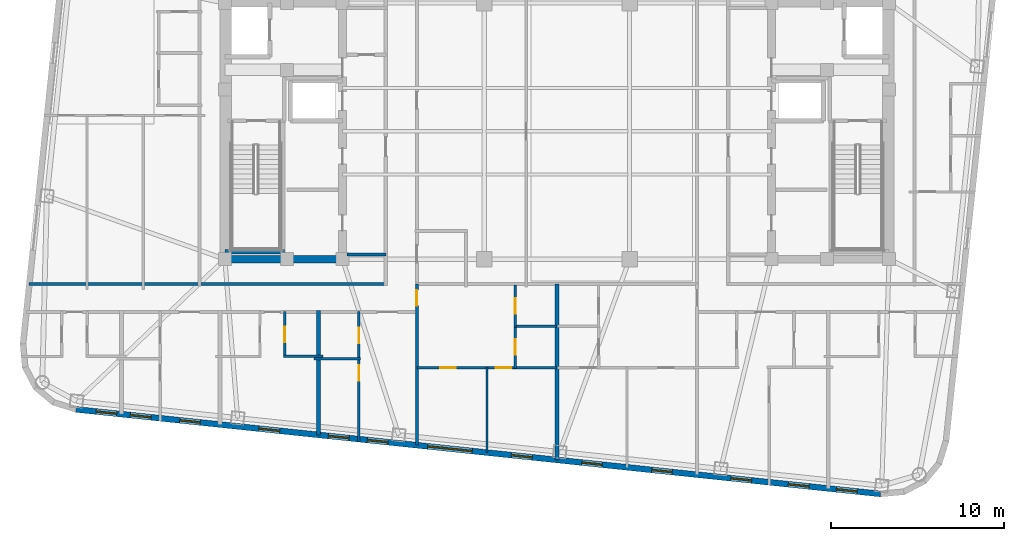
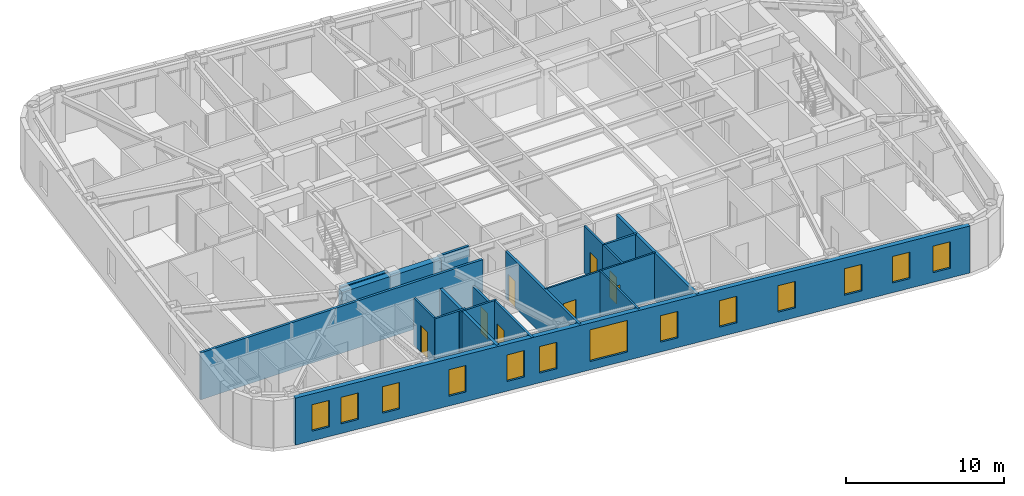
# One storey, part 3 of 11: 18 walls, 13 windows, 8 doors, 21 openings.
"""IFC4 building model written with IfcOpenShell, lengths in metres."""

from ifc_helpers import new_model, si_unit, direction, frame, frame_2d, origin, place, context, subcontext, project, spatial, rectangle, extrude, material, layer, layer_set, type_object, element, fill, save


model = new_model("IFC4")

# Units and contexts
model_context = context("Model", 3, precision=1e-05, world=origin(), true_north=direction((0.0, 1.0)))
body_context = subcontext(model_context, "Body", "Model", "MODEL_VIEW")
ifc_project = project(units=[si_unit("LENGTHUNIT", "METRE"), si_unit("AREAUNIT", "SQUARE_METRE"), si_unit("VOLUMEUNIT", "CUBIC_METRE"), si_unit("PLANEANGLEUNIT", "RADIAN"), si_unit("MASSUNIT", "GRAM", prefix="KILO")], contexts=[model_context])

# Site, building, storey
site_placement = place(None, origin())
site = spatial("IfcSite", under=ifc_project, at=site_placement, CompositionType="ELEMENT")
building_placement = place(site_placement, origin())
building = spatial("IfcBuilding", under=site, at=building_placement, Name="Voryun Gate Residences", CompositionType="ELEMENT")
storey_placement = place(building_placement, frame((0.0, 0.0, 302.89990234375)))
storey = spatial("IfcBuildingStorey", under=building, at=storey_placement, Name="L75", CompositionType="ELEMENT", Elevation=302.89990234375)

# Walls
ifc_material_1 = material(Name="Concrete C50/60", Category="concrete")
ifc_layer_1 = layer(ifc_material_1, 0.449951171875, Name="CW_CORE_450")
ifc_layer_set_1 = layer_set([ifc_layer_1], Name="Concrete C50/60")
wall_type_1 = type_object("IfcWallType", Name="CW_CORE_450", PredefinedType="SHEAR", material=ifc_layer_set_1)
wall_1_placement = place(storey_placement, frame((-19.425048828125, -7.39990234375, 0.0), z_axis=(0.0, 0.0, 1.0), x_axis=(1.0, 0.0, 0.0)))
element("IfcWall", 1, at=wall_1_placement, inside=storey, type_object=wall_type_1, Name="L75 Core shear wall CW-L75-WS", PredefinedType="SHEAR", context=body_context, shape_type="SweptSolid", body=[
    extrude(rectangle(XDim=7.25, YDim=0.449951171875, at=frame_2d((3.625, 0.0))), origin(), (0.0, 0.0, 1.0), 3.635009765625),
])
ifc_material_2 = material(Name="Gypsum acoustic fireboard")
ifc_layer_2 = layer(ifc_material_2, 0.179931640625, Name="W_CORR_RATED_180")
ifc_layer_set_2 = layer_set([ifc_layer_2], Name="Gypsum acoustic fireboard")
wall_type_2 = type_object("IfcWallType", Name="W_CORR_RATED_180", PredefinedType="PARTITIONING", material=ifc_layer_set_2)
wall_2_placement = place(storey_placement, frame((-12.14990234375, -7.1201171875, 0.0), z_axis=(0.0, 0.0, 1.0), x_axis=(1.0, 0.0, 0.0)))
element("IfcWall", 2, at=wall_2_placement, inside=storey, type_object=wall_type_2, Name="Partition wall WP-L75-PLBS-W", PredefinedType="PARTITIONING", context=body_context, shape_type="SweptSolid", body=[
    extrude(rectangle(XDim=2.27001953125, YDim=0.179931640625, at=frame_2d((1.135009765625, 0.0))), origin(), (0.0, 0.0, 1.0), 3.635009765625),
])
wall_3_placement = place(storey_placement, frame((-30.5068359375, -8.840087890625, 0.0), z_axis=(0.0, 0.0, 1.0), x_axis=(1.0, 0.0, 0.0)))
element("IfcWall", 3, at=wall_3_placement, inside=storey, type_object=wall_type_2, Name="Partition wall WP-L75-CWING-WS", PredefinedType="PARTITIONING", context=body_context, shape_type="SweptSolid", body=[
    extrude(rectangle(XDim=20.626953125, YDim=0.179931640625, at=frame_2d((10.3134765625, 0.0))), origin(), (0.0, 0.0, 1.0), 3.635009765625),
])

# Wall, opening, door
wall_4_placement = place(storey_placement, frame((-8.10009765625, -18.154541015625, 0.0), z_axis=(0.0, 0.0, 1.0), x_axis=(0.0, 1.0, 0.0)))
wall_4 = element("IfcWall", 4, at=wall_4_placement, inside=storey, type_object=wall_type_2, Name="Partition wall WP-L75-SZV-1", PredefinedType="PARTITIONING", context=body_context, shape_type="SweptSolid", body=[
    extrude(rectangle(XDim=9.314453125, YDim=0.179931640625, at=frame_2d((4.6572265625, 0.0))), origin(), (0.0, 0.0, 1.0), 3.635009765625),
])
opening_1_placement = place(wall_4_placement, frame((8.064453125, 0.0, 0.0)))
opening_1 = element("IfcOpeningElement", 5, at=opening_1_placement, cuts=wall_4, Name="Opening D-INT-2", PredefinedType="OPENING", context=body_context, shape_type="SweptSolid", body=[
    extrude(rectangle(XDim=0.89990234375, YDim=2.050048828125, at=frame_2d((0.449951171875, 1.02490234375))), frame((0.0, 0.099853515625, 0.0), z_axis=(0.0, -1.0, 0.0), x_axis=(1.0, 0.0, 0.0)), (0.0, 0.0, 1.0), 0.199951171875),
])
ifc_material_3 = material(Name="Architectural oak veneer")
door_type = type_object("IfcDoorType", Name="DR_INT_BATH_900", OperationType="NOTDEFINED", PredefinedType="DOOR", material=ifc_material_3)
door_1_placement = place(opening_1_placement, origin())
door_1 = element("IfcDoor", 6, at=door_1_placement, inside=storey, type_object=door_type, Name="Door DR-L75-SZENT-1", OperationType="SINGLE_SWING_LEFT", OverallHeight=2.050048828125, OverallWidth=0.89990234375, PredefinedType="DOOR", context=body_context, shape_type="SweptSolid", body=[
    extrude(rectangle(XDim=0.89990234375, YDim=2.050048828125, at=frame_2d((0.449951171875, 1.02490234375))), frame((0.0, 0.02490234375, 0.0), z_axis=(0.0, -1.0, 0.0), x_axis=(1.0, 0.0, 0.0)), (0.0, 0.0, 1.0), 0.050048828125),
])
fill(opening_1, door_1)

# Wall, openings, windows
ifc_material_4 = material(Name="Charcoal terracotta masonry", Category="masonry")
ifc_layer_3 = layer(ifc_material_4, 0.340087890625, Name="W_EXT_TERRACOTTA_340")
ifc_layer_set_3 = layer_set([ifc_layer_3], Name="Charcoal terracotta masonry")
wall_type_3 = type_object("IfcWallType", Name="W_EXT_TERRACOTTA_340", PredefinedType="ELEMENTEDWALL", material=ifc_layer_set_3)
wall_5_placement = place(storey_placement, frame((18.707763671875, -20.97216796875, 0.0), z_axis=(0.0, 0.0, 1.0), x_axis=(-0.994521888554, 0.104528528102, 0.0)))
wall_5 = element("IfcWall", 7, at=wall_5_placement, inside=storey, type_object=wall_type_3, Name="Exterior wall WEXT-L75-01", PredefinedType="ELEMENTEDWALL", context=body_context, shape_type="SweptSolid", body=[
    extrude(rectangle(XDim=46.766357421875, YDim=0.340087890625, at=frame_2d((23.38330078125, 0.0))), origin(), (0.0, 0.0, 1.0), 3.635009765625),
])
opening_2_placement = place(wall_5_placement, frame((23.733154296875, 0.0, 0.64990234375)))
opening_2 = element("IfcOpeningElement", 8, at=opening_2_placement, cuts=wall_5, Name="Opening WN4", PredefinedType="OPENING", context=body_context, shape_type="SweptSolid", body=[
    extrude(rectangle(XDim=2.60009765625, YDim=2.449951171875, at=frame_2d((1.300048828125, 1.22509765625))), frame((0.0, 0.179931640625, 0.0), z_axis=(0.0, -1.0, 0.0), x_axis=(1.0, 0.0, 0.0)), (0.0, 0.0, 1.0), 0.360107421875),
])
opening_3_placement = place(wall_5_placement, frame((44.40185546875, 0.0, 0.75)))
opening_3 = element("IfcOpeningElement", 9, at=opening_3_placement, cuts=wall_5, Name="Opening WN6", PredefinedType="OPENING", context=body_context, shape_type="SweptSolid", body=[
    extrude(rectangle(XDim=1.199951171875, YDim=2.050048828125, at=frame_2d((0.60009765625, 1.02490234375))), frame((0.0, 0.179931640625, 0.0), z_axis=(0.0, -1.0, 0.0), x_axis=(1.0, 0.0, 0.0)), (0.0, 0.0, 1.0), 0.360107421875),
])
opening_4_placement = place(wall_5_placement, frame((39.5400390625, 0.0, 0.75)))
opening_4 = element("IfcOpeningElement", 10, at=opening_4_placement, cuts=wall_5, Name="Opening WN6", PredefinedType="OPENING", context=body_context, shape_type="SweptSolid", body=[
    extrude(rectangle(XDim=1.199951171875, YDim=2.050048828125, at=frame_2d((0.60009765625, 1.02490234375))), frame((0.0, 0.179931640625, 0.0), z_axis=(0.0, -1.0, 0.0), x_axis=(1.0, 0.0, 0.0)), (0.0, 0.0, 1.0), 0.360107421875),
])
opening_5_placement = place(wall_5_placement, frame((42.40576171875, 0.0, 0.75)))
opening_5 = element("IfcOpeningElement", 11, at=opening_5_placement, cuts=wall_5, Name="Opening WN6", PredefinedType="OPENING", context=body_context, shape_type="SweptSolid", body=[
    extrude(rectangle(XDim=1.199951171875, YDim=2.050048828125, at=frame_2d((0.60009765625, 1.02490234375))), frame((0.0, 0.179931640625, 0.0), z_axis=(0.0, -1.0, 0.0), x_axis=(1.0, 0.0, 0.0)), (0.0, 0.0, 1.0), 0.360107421875),
])
opening_6_placement = place(wall_5_placement, frame((34.93310546875, 0.0, 0.75)))
opening_6 = element("IfcOpeningElement", 12, at=opening_6_placement, cuts=wall_5, Name="Opening WN6", PredefinedType="OPENING", context=body_context, shape_type="SweptSolid", body=[
    extrude(rectangle(XDim=1.199951171875, YDim=2.050048828125, at=frame_2d((0.60009765625, 1.02490234375))), frame((0.0, 0.179931640625, 0.0), z_axis=(0.0, -1.0, 0.0), x_axis=(1.0, 0.0, 0.0)), (0.0, 0.0, 1.0), 0.360107421875),
])
opening_7_placement = place(wall_5_placement, frame((28.630859375, 0.0, 0.75)))
opening_7 = element("IfcOpeningElement", 13, at=opening_7_placement, cuts=wall_5, Name="Opening WN6", PredefinedType="OPENING", context=body_context, shape_type="SweptSolid", body=[
    extrude(rectangle(XDim=1.199951171875, YDim=2.050048828125, at=frame_2d((0.60009765625, 1.02490234375))), frame((0.0, 0.179931640625, 0.0), z_axis=(0.0, -1.0, 0.0), x_axis=(1.0, 0.0, 0.0)), (0.0, 0.0, 1.0), 0.360107421875),
])
opening_8_placement = place(wall_5_placement, frame((30.89599609375, 0.0, 0.75)))
opening_8 = element("IfcOpeningElement", 14, at=opening_8_placement, cuts=wall_5, Name="Opening WN6", PredefinedType="OPENING", context=body_context, shape_type="SweptSolid", body=[
    extrude(rectangle(XDim=1.199951171875, YDim=2.050048828125, at=frame_2d((0.60009765625, 1.02490234375))), frame((0.0, 0.179931640625, 0.0), z_axis=(0.0, -1.0, 0.0), x_axis=(1.0, 0.0, 0.0)), (0.0, 0.0, 1.0), 0.360107421875),
])
opening_9_placement = place(wall_5_placement, frame((7.501220703125, 0.0, 0.75)))
opening_9 = element("IfcOpeningElement", 15, at=opening_9_placement, cuts=wall_5, Name="Opening WN6", PredefinedType="OPENING", context=body_context, shape_type="SweptSolid", body=[
    extrude(rectangle(XDim=1.199951171875, YDim=2.050048828125, at=frame_2d((0.60009765625, 1.02490234375))), frame((0.0, 0.179931640625, 0.0), z_axis=(0.0, -1.0, 0.0), x_axis=(1.0, 0.0, 0.0)), (0.0, 0.0, 1.0), 0.360107421875),
])
opening_10_placement = place(wall_5_placement, frame((4.1591796875, 0.0, 0.75)))
opening_10 = element("IfcOpeningElement", 16, at=opening_10_placement, cuts=wall_5, Name="Opening WN6", PredefinedType="OPENING", context=body_context, shape_type="SweptSolid", body=[
    extrude(rectangle(XDim=1.199951171875, YDim=2.050048828125, at=frame_2d((0.60009765625, 1.02490234375))), frame((0.0, 0.179931640625, 0.0), z_axis=(0.0, -1.0, 0.0), x_axis=(1.0, 0.0, 0.0)), (0.0, 0.0, 1.0), 0.360107421875),
])
opening_11_placement = place(wall_5_placement, frame((1.36865234375, 0.0, 0.75)))
opening_11 = element("IfcOpeningElement", 17, at=opening_11_placement, cuts=wall_5, Name="Opening WN6", PredefinedType="OPENING", context=body_context, shape_type="SweptSolid", body=[
    extrude(rectangle(XDim=1.199951171875, YDim=2.050048828125, at=frame_2d((0.60009765625, 1.02490234375))), frame((0.0, 0.179931640625, 0.0), z_axis=(0.0, -1.0, 0.0), x_axis=(1.0, 0.0, 0.0)), (0.0, 0.0, 1.0), 0.360107421875),
])
opening_12_placement = place(wall_5_placement, frame((20.25439453125, 0.0, 0.75)))
opening_12 = element("IfcOpeningElement", 18, at=opening_12_placement, cuts=wall_5, Name="Opening WN6", PredefinedType="OPENING", context=body_context, shape_type="SweptSolid", body=[
    extrude(rectangle(XDim=1.199951171875, YDim=2.050048828125, at=frame_2d((0.60009765625, 1.02490234375))), frame((0.0, 0.179931640625, 0.0), z_axis=(0.0, -1.0, 0.0), x_axis=(1.0, 0.0, 0.0)), (0.0, 0.0, 1.0), 0.360107421875),
])
opening_13_placement = place(wall_5_placement, frame((16.172119140625, 0.0, 0.75)))
opening_13 = element("IfcOpeningElement", 19, at=opening_13_placement, cuts=wall_5, Name="Opening WN6", PredefinedType="OPENING", context=body_context, shape_type="SweptSolid", body=[
    extrude(rectangle(XDim=1.199951171875, YDim=2.050048828125, at=frame_2d((0.60009765625, 1.02490234375))), frame((0.0, 0.179931640625, 0.0), z_axis=(0.0, -1.0, 0.0), x_axis=(1.0, 0.0, 0.0)), (0.0, 0.0, 1.0), 0.360107421875),
])
opening_14_placement = place(wall_5_placement, frame((12.109619140625, 0.0, 0.75)))
opening_14 = element("IfcOpeningElement", 20, at=opening_14_placement, cuts=wall_5, Name="Opening WN6", PredefinedType="OPENING", context=body_context, shape_type="SweptSolid", body=[
    extrude(rectangle(XDim=1.199951171875, YDim=2.050048828125, at=frame_2d((0.60009765625, 1.02490234375))), frame((0.0, 0.179931640625, 0.0), z_axis=(0.0, -1.0, 0.0), x_axis=(1.0, 0.0, 0.0)), (0.0, 0.0, 1.0), 0.360107421875),
])
ifc_material_5 = material(Name="Laminated low-E glass", Category="glass")
window_type_1 = type_object("IfcWindowType", Name="WN_PENT_TALL_2600", PartitioningType="SINGLE_PANEL", PredefinedType="WINDOW", material=ifc_material_5)
window_1_placement = place(opening_2_placement, origin())
window_1 = element("IfcWindow", 21, at=window_1_placement, inside=storey, type_object=window_type_1, Name="Window WN-WEXT-L75-01-02", OverallHeight=2.449951171875, OverallWidth=2.60009765625, PartitioningType="SINGLE_PANEL", PredefinedType="WINDOW", context=body_context, shape_type="SweptSolid", body=[
    extrude(rectangle(XDim=2.60009765625, YDim=2.449951171875, at=frame_2d((1.300048828125, 1.22509765625))), frame((0.0, 0.030029296875, 0.0), z_axis=(0.0, -1.0, 0.0), x_axis=(1.0, 0.0, 0.0)), (0.0, 0.0, 1.0), 0.06005859375),
])
fill(opening_2, window_1)
ifc_material_6 = material(Name="Laminated low-E glass", Category="glass")
window_type_2 = type_object("IfcWindowType", Name="WN_POD_SLOT_1200", PartitioningType="SINGLE_PANEL", PredefinedType="WINDOW", material=ifc_material_6)
window_2_placement = place(opening_3_placement, origin())
window_2 = element("IfcWindow", 22, at=window_2_placement, inside=storey, type_object=window_type_2, Name="Window WN-L75-DWFIX-11", OverallHeight=2.050048828125, OverallWidth=1.199951171875, PartitioningType="SINGLE_PANEL", PredefinedType="WINDOW", context=body_context, shape_type="SweptSolid", body=[
    extrude(rectangle(XDim=1.199951171875, YDim=2.050048828125, at=frame_2d((0.60009765625, 1.02490234375))), frame((0.0, 0.030029296875, 0.0), z_axis=(0.0, -1.0, 0.0), x_axis=(1.0, 0.0, 0.0)), (0.0, 0.0, 1.0), 0.06005859375),
])
fill(opening_3, window_2)
window_3_placement = place(opening_4_placement, origin())
window_3 = element("IfcWindow", 23, at=window_3_placement, inside=storey, type_object=window_type_2, Name="Window WN-L75-DWFIX-12", OverallHeight=2.050048828125, OverallWidth=1.199951171875, PartitioningType="SINGLE_PANEL", PredefinedType="WINDOW", context=body_context, shape_type="SweptSolid", body=[
    extrude(rectangle(XDim=1.199951171875, YDim=2.050048828125, at=frame_2d((0.60009765625, 1.02490234375))), frame((0.0, 0.030029296875, 0.0), z_axis=(0.0, -1.0, 0.0), x_axis=(1.0, 0.0, 0.0)), (0.0, 0.0, 1.0), 0.06005859375),
])
fill(opening_4, window_3)
window_4_placement = place(opening_5_placement, origin())
window_4 = element("IfcWindow", 24, at=window_4_placement, inside=storey, type_object=window_type_2, Name="Window WN-L75-DWFIX-13", OverallHeight=2.050048828125, OverallWidth=1.199951171875, PartitioningType="SINGLE_PANEL", PredefinedType="WINDOW", context=body_context, shape_type="SweptSolid", body=[
    extrude(rectangle(XDim=1.199951171875, YDim=2.050048828125, at=frame_2d((0.60009765625, 1.02490234375))), frame((0.0, 0.030029296875, 0.0), z_axis=(0.0, -1.0, 0.0), x_axis=(1.0, 0.0, 0.0)), (0.0, 0.0, 1.0), 0.06005859375),
])
fill(opening_5, window_4)
window_5_placement = place(opening_6_placement, origin())
window_5 = element("IfcWindow", 25, at=window_5_placement, inside=storey, type_object=window_type_2, Name="Window WN-L75-DWFIX-14", OverallHeight=2.050048828125, OverallWidth=1.199951171875, PartitioningType="SINGLE_PANEL", PredefinedType="WINDOW", context=body_context, shape_type="SweptSolid", body=[
    extrude(rectangle(XDim=1.199951171875, YDim=2.050048828125, at=frame_2d((0.60009765625, 1.02490234375))), frame((0.0, 0.030029296875, 0.0), z_axis=(0.0, -1.0, 0.0), x_axis=(1.0, 0.0, 0.0)), (0.0, 0.0, 1.0), 0.06005859375),
])
fill(opening_6, window_5)
window_6_placement = place(opening_7_placement, origin())
window_6 = element("IfcWindow", 26, at=window_6_placement, inside=storey, type_object=window_type_2, Name="Window WN-L75-DWFIX-15", OverallHeight=2.050048828125, OverallWidth=1.199951171875, PartitioningType="SINGLE_PANEL", PredefinedType="WINDOW", context=body_context, shape_type="SweptSolid", body=[
    extrude(rectangle(XDim=1.199951171875, YDim=2.050048828125, at=frame_2d((0.60009765625, 1.02490234375))), frame((0.0, 0.030029296875, 0.0), z_axis=(0.0, -1.0, 0.0), x_axis=(1.0, 0.0, 0.0)), (0.0, 0.0, 1.0), 0.06005859375),
])
fill(opening_7, window_6)
window_7_placement = place(opening_8_placement, origin())
window_7 = element("IfcWindow", 27, at=window_7_placement, inside=storey, type_object=window_type_2, Name="Window WN-L75-DWFIX-16", OverallHeight=2.050048828125, OverallWidth=1.199951171875, PartitioningType="SINGLE_PANEL", PredefinedType="WINDOW", context=body_context, shape_type="SweptSolid", body=[
    extrude(rectangle(XDim=1.199951171875, YDim=2.050048828125, at=frame_2d((0.60009765625, 1.02490234375))), frame((0.0, 0.030029296875, 0.0), z_axis=(0.0, -1.0, 0.0), x_axis=(1.0, 0.0, 0.0)), (0.0, 0.0, 1.0), 0.06005859375),
])
fill(opening_8, window_7)
window_8_placement = place(opening_9_placement, origin())
window_8 = element("IfcWindow", 28, at=window_8_placement, inside=storey, type_object=window_type_2, Name="Window WN-L75-DWFIX-17", OverallHeight=2.050048828125, OverallWidth=1.199951171875, PartitioningType="SINGLE_PANEL", PredefinedType="WINDOW", context=body_context, shape_type="SweptSolid", body=[
    extrude(rectangle(XDim=1.199951171875, YDim=2.050048828125, at=frame_2d((0.60009765625, 1.02490234375))), frame((0.0, 0.030029296875, 0.0), z_axis=(0.0, -1.0, 0.0), x_axis=(1.0, 0.0, 0.0)), (0.0, 0.0, 1.0), 0.06005859375),
])
fill(opening_9, window_8)
window_9_placement = place(opening_10_placement, origin())
window_9 = element("IfcWindow", 29, at=window_9_placement, inside=storey, type_object=window_type_2, Name="Window WN-L75-DWFIX-18", OverallHeight=2.050048828125, OverallWidth=1.199951171875, PartitioningType="SINGLE_PANEL", PredefinedType="WINDOW", context=body_context, shape_type="SweptSolid", body=[
    extrude(rectangle(XDim=1.199951171875, YDim=2.050048828125, at=frame_2d((0.60009765625, 1.02490234375))), frame((0.0, 0.030029296875, 0.0), z_axis=(0.0, -1.0, 0.0), x_axis=(1.0, 0.0, 0.0)), (0.0, 0.0, 1.0), 0.06005859375),
])
fill(opening_10, window_9)
window_10_placement = place(opening_11_placement, origin())
window_10 = element("IfcWindow", 30, at=window_10_placement, inside=storey, type_object=window_type_2, Name="Window WN-L75-DWFIX-19", OverallHeight=2.050048828125, OverallWidth=1.199951171875, PartitioningType="SINGLE_PANEL", PredefinedType="WINDOW", context=body_context, shape_type="SweptSolid", body=[
    extrude(rectangle(XDim=1.199951171875, YDim=2.050048828125, at=frame_2d((0.60009765625, 1.02490234375))), frame((0.0, 0.030029296875, 0.0), z_axis=(0.0, -1.0, 0.0), x_axis=(1.0, 0.0, 0.0)), (0.0, 0.0, 1.0), 0.06005859375),
])
fill(opening_11, window_10)
window_11_placement = place(opening_12_placement, origin())
window_11 = element("IfcWindow", 31, at=window_11_placement, inside=storey, type_object=window_type_2, Name="Window WN-L75-DWFIX-20", OverallHeight=2.050048828125, OverallWidth=1.199951171875, PartitioningType="SINGLE_PANEL", PredefinedType="WINDOW", context=body_context, shape_type="SweptSolid", body=[
    extrude(rectangle(XDim=1.199951171875, YDim=2.050048828125, at=frame_2d((0.60009765625, 1.02490234375))), frame((0.0, 0.030029296875, 0.0), z_axis=(0.0, -1.0, 0.0), x_axis=(1.0, 0.0, 0.0)), (0.0, 0.0, 1.0), 0.06005859375),
])
fill(opening_12, window_11)
window_12_placement = place(opening_13_placement, origin())
window_12 = element("IfcWindow", 32, at=window_12_placement, inside=storey, type_object=window_type_2, Name="Window WN-L75-DWFIX-21", OverallHeight=2.050048828125, OverallWidth=1.199951171875, PartitioningType="SINGLE_PANEL", PredefinedType="WINDOW", context=body_context, shape_type="SweptSolid", body=[
    extrude(rectangle(XDim=1.199951171875, YDim=2.050048828125, at=frame_2d((0.60009765625, 1.02490234375))), frame((0.0, 0.030029296875, 0.0), z_axis=(0.0, -1.0, 0.0), x_axis=(1.0, 0.0, 0.0)), (0.0, 0.0, 1.0), 0.06005859375),
])
fill(opening_13, window_12)
window_13_placement = place(opening_14_placement, origin())
window_13 = element("IfcWindow", 33, at=window_13_placement, inside=storey, type_object=window_type_2, Name="Window WN-L75-DWFIX-22", OverallHeight=2.050048828125, OverallWidth=1.199951171875, PartitioningType="SINGLE_PANEL", PredefinedType="WINDOW", context=body_context, shape_type="SweptSolid", body=[
    extrude(rectangle(XDim=1.199951171875, YDim=2.050048828125, at=frame_2d((0.60009765625, 1.02490234375))), frame((0.0, 0.030029296875, 0.0), z_axis=(0.0, -1.0, 0.0), x_axis=(1.0, 0.0, 0.0)), (0.0, 0.0, 1.0), 0.06005859375),
])
fill(opening_14, window_13)

# Walls
ifc_material_7 = material(Name="Concrete C40/50", Category="concrete")
ifc_layer_4 = layer(ifc_material_7, 0.219970703125, Name="W_PARTY_ACOUSTIC_220")
ifc_layer_set_4 = layer_set([ifc_layer_4], Name="Concrete C40/50")
wall_type_4 = type_object("IfcWallType", Name="W_PARTY_ACOUSTIC_220", PredefinedType="PARTITIONING", material=ifc_layer_set_4)
wall_6_placement = place(storey_placement, frame((-13.779052734375, -17.5576171875, 0.0), z_axis=(0.0, 0.0, 1.0), x_axis=(0.0, 1.0, 0.0)))
element("IfcWall", 34, at=wall_6_placement, inside=storey, type_object=wall_type_4, Name="Partition wall WP-L75-SPTY-3", PredefinedType="PARTITIONING", context=body_context, shape_type="SweptSolid", body=[
    extrude(rectangle(XDim=7.1875, YDim=0.219970703125, at=frame_2d((3.59375, 0.0))), origin(), (0.0, 0.0, 1.0), 3.635009765625),
])
wall_7_placement = place(storey_placement, frame((0.0, -19.005859375, 0.0), z_axis=(0.0, 0.0, 1.0), x_axis=(0.0, 1.0, 0.0)))
element("IfcWall", 35, at=wall_7_placement, inside=storey, type_object=wall_type_4, Name="Partition wall WP-L75-SZMID", PredefinedType="PARTITIONING", context=body_context, shape_type="SweptSolid", body=[
    extrude(rectangle(XDim=10.165771484375, YDim=0.219970703125, at=frame_2d((5.0830078125, 0.0))), origin(), (0.0, 0.0, 1.0), 3.635009765625),
])
ifc_material_8 = material(Name="Concrete C50/60", Category="concrete")
ifc_layer_5 = layer(ifc_material_8, 0.25, Name="W_SHAFT_RC250")
ifc_layer_set_5 = layer_set([ifc_layer_5], Name="Concrete C50/60")
wall_type_5 = type_object("IfcWallType", Name="W_SHAFT_RC250", PredefinedType="SOLIDWALL", material=ifc_layer_set_5)
wall_8_placement = place(storey_placement, frame((-19.199951171875, -6.965087890625, 0.0), z_axis=(0.0, 0.0, 1.0), x_axis=(1.0, 0.0, 0.0)))
element("IfcWall", 36, at=wall_8_placement, inside=storey, type_object=wall_type_5, Name="L75 Stair shaft structural wall W-STS", PredefinedType="SOLIDWALL", context=body_context, shape_type="SweptSolid", body=[
    extrude(rectangle(XDim=3.4599609375, YDim=0.25, at=frame_2d((1.72998046875, 0.0))), origin(), (0.0, 0.0, 1.0), 3.635009765625),
])

# Wall, openings, doors
ifc_material_9 = material(Name="Gypsum acoustic partition")
ifc_layer_6 = layer(ifc_material_9, 0.125, Name="W_UNIT_PART_125")
ifc_layer_set_6 = layer_set([ifc_layer_6], Name="Gypsum acoustic partition")
wall_type_6 = type_object("IfcWallType", Name="W_UNIT_PART_125", PredefinedType="PARTITIONING", material=ifc_layer_set_6)
wall_9_placement = place(storey_placement, frame((-8.080078125, -13.679931640625, 0.0), z_axis=(0.0, 0.0, 1.0), x_axis=(1.0, 0.0, 0.0)))
wall_9 = element("IfcWall", 37, at=wall_9_placement, inside=storey, type_object=wall_type_6, Name="Partition wall WP-L75-SC1-HZ", PredefinedType="PARTITIONING", context=body_context, shape_type="SweptSolid", body=[
    extrude(rectangle(XDim=8.06005859375, YDim=0.125, at=frame_2d((4.030029296875, 0.0))), origin(), (0.0, 0.0, 1.0), 3.635009765625),
])
opening_15_placement = place(wall_9_placement, frame((1.3232421875, 0.0, 0.0)))
opening_15 = element("IfcOpeningElement", 38, at=opening_15_placement, cuts=wall_9, Name="Opening D-INT-2", PredefinedType="OPENING", context=body_context, shape_type="SweptSolid", body=[
    extrude(rectangle(XDim=0.89990234375, YDim=2.050048828125, at=frame_2d((0.449951171875, 1.02490234375))), frame((0.0, 0.072509765625, 0.0), z_axis=(0.0, -1.0, 0.0), x_axis=(1.0, 0.0, 0.0)), (0.0, 0.0, 1.0), 0.14501953125),
])
opening_16_placement = place(wall_9_placement, frame((4.547119140625, 0.0, 0.0)))
opening_16 = element("IfcOpeningElement", 39, at=opening_16_placement, cuts=wall_9, Name="Opening D-INT-2", PredefinedType="OPENING", context=body_context, shape_type="SweptSolid", body=[
    extrude(rectangle(XDim=0.89990234375, YDim=2.050048828125, at=frame_2d((0.449951171875, 1.02490234375))), frame((0.0, 0.072509765625, 0.0), z_axis=(0.0, -1.0, 0.0), x_axis=(1.0, 0.0, 0.0)), (0.0, 0.0, 1.0), 0.14501953125),
])
door_2_placement = place(opening_15_placement, origin())
door_2 = element("IfcDoor", 40, at=door_2_placement, inside=storey, type_object=door_type, Name="Door DR-L75-SC1-DMB", OperationType="SINGLE_SWING_LEFT", OverallHeight=2.050048828125, OverallWidth=0.89990234375, PredefinedType="DOOR", context=body_context, shape_type="SweptSolid", body=[
    extrude(rectangle(XDim=0.89990234375, YDim=2.050048828125, at=frame_2d((0.449951171875, 1.02490234375))), frame((0.0, 0.02490234375, 0.0), z_axis=(0.0, -1.0, 0.0), x_axis=(1.0, 0.0, 0.0)), (0.0, 0.0, 1.0), 0.050048828125),
])
fill(opening_15, door_2)
door_3_placement = place(opening_16_placement, origin())
door_3 = element("IfcDoor", 41, at=door_3_placement, inside=storey, type_object=door_type, Name="Door DR-L75-SC1-DBD2", OperationType="SINGLE_SWING_RIGHT", OverallHeight=2.050048828125, OverallWidth=0.89990234375, PredefinedType="DOOR", context=body_context, shape_type="SweptSolid", body=[
    extrude(rectangle(XDim=0.89990234375, YDim=2.050048828125, at=frame_2d((0.449951171875, 1.02490234375))), frame((0.0, 0.02490234375, 0.0), z_axis=(0.0, -1.0, 0.0), x_axis=(1.0, 0.0, 0.0)), (0.0, 0.0, 1.0), 0.050048828125),
])
fill(opening_16, door_3)

# Wall, opening, door
wall_10_placement = place(storey_placement, frame((-2.409912109375, -11.31005859375, 0.0), z_axis=(0.0, 0.0, 1.0), x_axis=(0.0, 1.0, 0.0)))
wall_10 = element("IfcWall", 42, at=wall_10_placement, inside=storey, type_object=wall_type_6, Name="Partition wall WP-L75-SC1-VK1", PredefinedType="PARTITIONING", context=body_context, shape_type="SweptSolid", body=[
    extrude(rectangle(XDim=2.41015625, YDim=0.125, at=frame_2d((1.205078125, 0.0))), origin(), (0.0, 0.0, 1.0), 3.635009765625),
])
opening_17_placement = place(wall_10_placement, frame((0.7548828125, 0.0, 0.0)))
opening_17 = element("IfcOpeningElement", 43, at=opening_17_placement, cuts=wall_10, Name="Opening D-INT-2", PredefinedType="OPENING", context=body_context, shape_type="SweptSolid", body=[
    extrude(rectangle(XDim=0.89990234375, YDim=2.050048828125, at=frame_2d((0.449951171875, 1.02490234375))), frame((0.0, 0.072509765625, 0.0), z_axis=(0.0, -1.0, 0.0), x_axis=(1.0, 0.0, 0.0)), (0.0, 0.0, 1.0), 0.14501953125),
])
door_4_placement = place(opening_17_placement, origin())
door_4 = element("IfcDoor", 44, at=door_4_placement, inside=storey, type_object=door_type, Name="Door DR-L75-SC1-DK", OperationType="SINGLE_SWING_LEFT", OverallHeight=2.050048828125, OverallWidth=0.89990234375, PredefinedType="DOOR", context=body_context, shape_type="SweptSolid", body=[
    extrude(rectangle(XDim=0.89990234375, YDim=2.050048828125, at=frame_2d((0.449951171875, 1.02490234375))), frame((0.0, 0.02490234375, 0.0), z_axis=(0.0, -1.0, 0.0), x_axis=(1.0, 0.0, 0.0)), (0.0, 0.0, 1.0), 0.050048828125),
])
fill(opening_17, door_4)

# Wall
wall_11_placement = place(storey_placement, frame((-4.050048828125, -18.580078125, 0.0), z_axis=(0.0, 0.0, 1.0), x_axis=(0.0, 1.0, 0.0)))
element("IfcWall", 45, at=wall_11_placement, inside=storey, type_object=wall_type_6, Name="Partition wall WP-L75-SC1-VBD", PredefinedType="PARTITIONING", context=body_context, shape_type="SweptSolid", body=[
    extrude(rectangle(XDim=4.940185546875, YDim=0.125, at=frame_2d((2.47021484375, 0.0))), origin(), (0.0, 0.0, 1.0), 3.635009765625),
])

# Wall, opening, door
ifc_material_10 = material(Name="Gypsum moisture-resistant partition")
ifc_layer_7 = layer(ifc_material_10, 0.14990234375, Name="W_WET_PLUMB_150")
ifc_layer_set_7 = layer_set([ifc_layer_7], Name="Gypsum moisture-resistant partition")
wall_type_7 = type_object("IfcWallType", Name="W_WET_PLUMB_150", PredefinedType="PLUMBINGWALL", material=ifc_layer_set_7)
wall_12_placement = place(storey_placement, frame((-15.736083984375, -13.080078125, 0.0), z_axis=(0.0, 0.0, 1.0), x_axis=(0.0, 1.0, 0.0)))
wall_12 = element("IfcWall", 46, at=wall_12_placement, inside=storey, type_object=wall_type_7, Name="Partition wall WP-L75-S3-CVB", PredefinedType="PLUMBINGWALL", context=body_context, shape_type="SweptSolid", body=[
    extrude(rectangle(XDim=2.650146484375, YDim=0.14990234375, at=frame_2d((1.3251953125, 0.0))), origin(), (0.0, 0.0, 1.0), 3.635009765625),
])
opening_18_placement = place(wall_12_placement, frame((0.875, 0.0, 0.0)))
opening_18 = element("IfcOpeningElement", 47, at=opening_18_placement, cuts=wall_12, Name="Opening D-INT-2", PredefinedType="OPENING", context=body_context, shape_type="SweptSolid", body=[
    extrude(rectangle(XDim=0.89990234375, YDim=2.050048828125, at=frame_2d((0.449951171875, 1.02490234375))), frame((0.0, 0.0849609375, 0.0), z_axis=(0.0, -1.0, 0.0), x_axis=(1.0, 0.0, 0.0)), (0.0, 0.0, 1.0), 0.169921875),
])
door_5_placement = place(opening_18_placement, origin())
door_5 = element("IfcDoor", 48, at=door_5_placement, inside=storey, type_object=door_type, Name="Door DR-L75-S3-DB", OperationType="SINGLE_SWING_RIGHT", OverallHeight=2.050048828125, OverallWidth=0.89990234375, PredefinedType="DOOR", context=body_context, shape_type="SweptSolid", body=[
    extrude(rectangle(XDim=0.89990234375, YDim=2.050048828125, at=frame_2d((0.449951171875, 1.02490234375))), frame((0.0, 0.02490234375, 0.0), z_axis=(0.0, -1.0, 0.0), x_axis=(1.0, 0.0, 0.0)), (0.0, 0.0, 1.0), 0.050048828125),
])
fill(opening_18, door_5)

# Walls
wall_13_placement = place(storey_placement, frame((-15.7958984375, -13.02001953125, 0.0), z_axis=(0.0, 0.0, 1.0), x_axis=(1.0, 0.0, 0.0)))
element("IfcWall", 49, at=wall_13_placement, inside=storey, type_object=wall_type_7, Name="Partition wall WP-L75-S3-CHB", PredefinedType="PLUMBINGWALL", context=body_context, shape_type="SweptSolid", body=[
    extrude(rectangle(XDim=2.27685546875, YDim=0.14990234375, at=frame_2d((1.138427734375, 0.0))), origin(), (0.0, 0.0, 1.0), 3.635009765625),
])
wall_14_placement = place(storey_placement, frame((-14.0390625, -13.14990234375, 0.0), z_axis=(0.0, 0.0, 1.0), x_axis=(1.0, 0.0, 0.0)))
element("IfcWall", 50, at=wall_14_placement, inside=storey, type_object=wall_type_7, Name="Partition wall WP-L75-S4-SKB", PredefinedType="PLUMBINGWALL", context=body_context, shape_type="SweptSolid", body=[
    extrude(rectangle(XDim=2.671142578125, YDim=0.14990234375, at=frame_2d((1.33544921875, 0.0))), origin(), (0.0, 0.0, 1.0), 3.635009765625),
])

# Wall, opening, door
wall_15_placement = place(storey_placement, frame((-11.447998046875, -17.95361328125, 0.0), z_axis=(0.0, 0.0, 1.0), x_axis=(0.0, 1.0, 0.0)))
wall_15 = element("IfcWall", 51, at=wall_15_placement, inside=storey, type_object=wall_type_7, Name="Partition wall WP-L75-S4-SVT1", PredefinedType="PLUMBINGWALL", context=body_context, shape_type="SweptSolid", body=[
    extrude(rectangle(XDim=4.843505859375, YDim=0.14990234375, at=frame_2d((2.421875, 0.0))), origin(), (0.0, 0.0, 1.0), 3.635009765625),
])
opening_19_placement = place(wall_15_placement, frame((3.521728515625, 0.0, 0.0)))
opening_19 = element("IfcOpeningElement", 52, at=opening_19_placement, cuts=wall_15, Name="Opening D-INT-2", PredefinedType="OPENING", context=body_context, shape_type="SweptSolid", body=[
    extrude(rectangle(XDim=0.89990234375, YDim=2.050048828125, at=frame_2d((0.449951171875, 1.02490234375))), frame((0.0, 0.0849609375, 0.0), z_axis=(0.0, -1.0, 0.0), x_axis=(1.0, 0.0, 0.0)), (0.0, 0.0, 1.0), 0.169921875),
])
door_6_placement = place(opening_19_placement, origin())
door_6 = element("IfcDoor", 53, at=door_6_placement, inside=storey, type_object=door_type, Name="Door DR-L75-S4-DK", OperationType="SINGLE_SWING_LEFT", OverallHeight=2.050048828125, OverallWidth=0.89990234375, PredefinedType="DOOR", context=body_context, shape_type="SweptSolid", body=[
    extrude(rectangle(XDim=0.89990234375, YDim=2.050048828125, at=frame_2d((0.449951171875, 1.02490234375))), frame((0.0, 0.02490234375, 0.0), z_axis=(0.0, -1.0, 0.0), x_axis=(1.0, 0.0, 0.0)), (0.0, 0.0, 1.0), 0.050048828125),
])
fill(opening_19, door_6)

wall_16_placement = place(storey_placement, frame((-11.447998046875, -13.18994140625, 0.0), z_axis=(0.0, 0.0, 1.0), x_axis=(0.0, 1.0, 0.0)))
wall_16 = element("IfcWall", 54, at=wall_16_placement, inside=storey, type_object=wall_type_7, Name="Partition wall WP-L75-S4-SVT2", PredefinedType="PLUMBINGWALL", context=body_context, shape_type="SweptSolid", body=[
    extrude(rectangle(XDim=2.760009765625, YDim=0.14990234375, at=frame_2d((1.3798828125, 0.0))), origin(), (0.0, 0.0, 1.0), 3.0751953125),
])
opening_20_placement = place(wall_16_placement, frame((0.929931640625, 0.0, 0.0)))
opening_20 = element("IfcOpeningElement", 55, at=opening_20_placement, cuts=wall_16, Name="Opening D-INT-2", PredefinedType="OPENING", context=body_context, shape_type="SweptSolid", body=[
    extrude(rectangle(XDim=0.89990234375, YDim=2.050048828125, at=frame_2d((0.449951171875, 1.02490234375))), frame((0.0, 0.0849609375, 0.0), z_axis=(0.0, -1.0, 0.0), x_axis=(1.0, 0.0, 0.0)), (0.0, 0.0, 1.0), 0.169921875),
])
door_7_placement = place(opening_20_placement, origin())
door_7 = element("IfcDoor", 56, at=door_7_placement, inside=storey, type_object=door_type, Name="Door DR-L75-S4-DB", OperationType="SINGLE_SWING_RIGHT", OverallHeight=2.050048828125, OverallWidth=0.89990234375, PredefinedType="DOOR", context=body_context, shape_type="SweptSolid", body=[
    extrude(rectangle(XDim=0.89990234375, YDim=2.050048828125, at=frame_2d((0.449951171875, 1.02490234375))), frame((0.0, 0.02490234375, 0.0), z_axis=(0.0, -1.0, 0.0), x_axis=(1.0, 0.0, 0.0)), (0.0, 0.0, 1.0), 0.050048828125),
])
fill(opening_20, door_7)

wall_17_placement = place(storey_placement, frame((-2.409912109375, -13.719970703125, 0.0), z_axis=(0.0, 0.0, 1.0), x_axis=(0.0, 1.0, 0.0)))
wall_17 = element("IfcWall", 57, at=wall_17_placement, inside=storey, type_object=wall_type_7, Name="Partition wall WP-L75-SC1-VK2", PredefinedType="PLUMBINGWALL", context=body_context, shape_type="SweptSolid", body=[
    extrude(rectangle(XDim=2.469970703125, YDim=0.14990234375, at=frame_2d((1.23486328125, 0.0))), origin(), (0.0, 0.0, 1.0), 3.635009765625),
])
opening_21_placement = place(wall_17_placement, frame((0.784912109375, 0.0, 0.0)))
opening_21 = element("IfcOpeningElement", 58, at=opening_21_placement, cuts=wall_17, Name="Opening D-INT-2", PredefinedType="OPENING", context=body_context, shape_type="SweptSolid", body=[
    extrude(rectangle(XDim=0.89990234375, YDim=2.050048828125, at=frame_2d((0.449951171875, 1.02490234375))), frame((0.0, 0.0849609375, 0.0), z_axis=(0.0, -1.0, 0.0), x_axis=(1.0, 0.0, 0.0)), (0.0, 0.0, 1.0), 0.169921875),
])
door_8_placement = place(opening_21_placement, origin())
door_8 = element("IfcDoor", 59, at=door_8_placement, inside=storey, type_object=door_type, Name="Door DR-L75-SC1-DB", OperationType="SINGLE_SWING_RIGHT", OverallHeight=2.050048828125, OverallWidth=0.89990234375, PredefinedType="DOOR", context=body_context, shape_type="SweptSolid", body=[
    extrude(rectangle(XDim=0.89990234375, YDim=2.050048828125, at=frame_2d((0.449951171875, 1.02490234375))), frame((0.0, 0.02490234375, 0.0), z_axis=(0.0, -1.0, 0.0), x_axis=(1.0, 0.0, 0.0)), (0.0, 0.0, 1.0), 0.050048828125),
])
fill(opening_21, door_8)

# Wall
wall_18_placement = place(storey_placement, frame((-2.449951171875, -11.280029296875, 0.0), z_axis=(0.0, 0.0, 1.0), x_axis=(1.0, 0.0, 0.0)))
element("IfcWall", 60, at=wall_18_placement, inside=storey, type_object=wall_type_7, Name="Partition wall WP-L75-SC1-HKB", PredefinedType="PLUMBINGWALL", context=body_context, shape_type="SweptSolid", body=[
    extrude(rectangle(XDim=2.429931640625, YDim=0.14990234375, at=frame_2d((1.21484375, 0.0))), origin(), (0.0, 0.0, 1.0), 3.635009765625),
])

save(model, "model.ifc")
